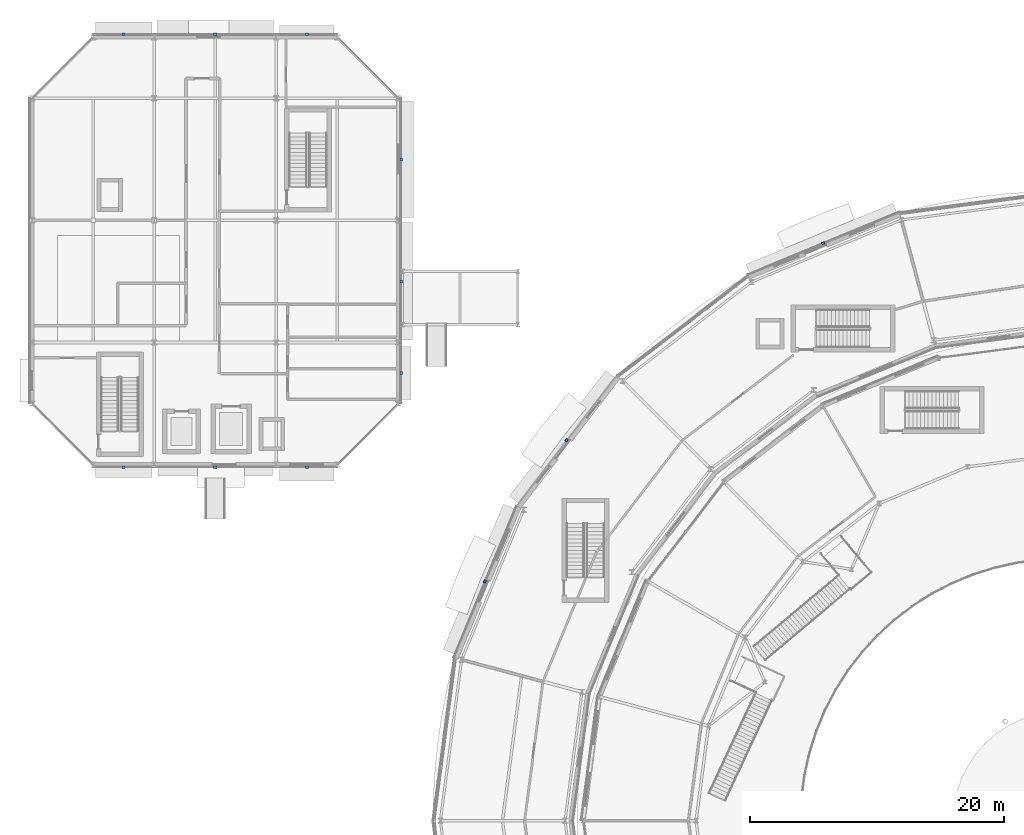
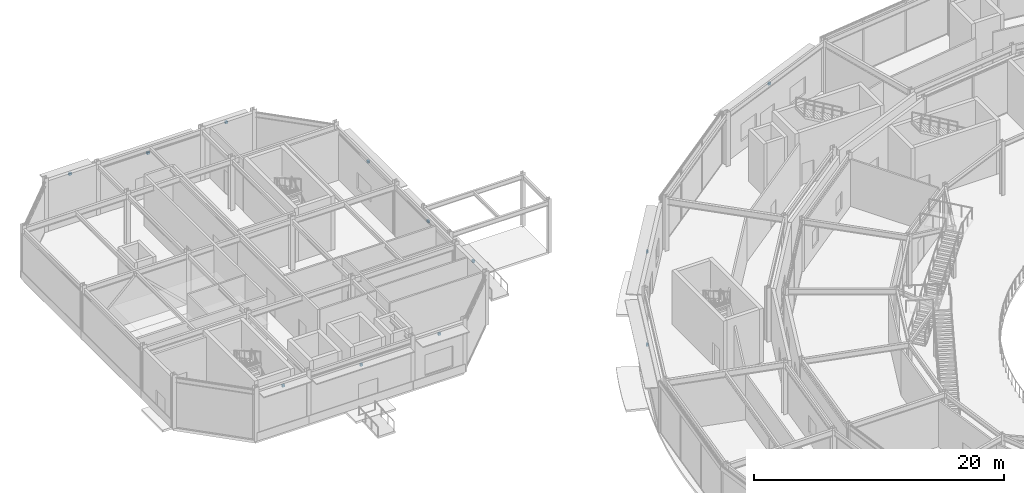
# One storey, part 137 of 168: 12 discrete accessories.
"""IFC4 building model written with IfcOpenShell, lengths in metres."""

from ifc_helpers import new_model, si_unit, direction, frame, origin, origin_2d, place, context, subcontext, project, spatial, rectangle, extrude, material, layer, layer_set, type_object, element, save


model = new_model("IFC4")

# Units and contexts
model_context = context("Model", 3, precision=1e-05, world=origin(), true_north=direction((0.0, 1.0)))
body_context = subcontext(model_context, "Body", "Model", "MODEL_VIEW")
ifc_project = project(units=[si_unit("LENGTHUNIT", "METRE"), si_unit("AREAUNIT", "SQUARE_METRE"), si_unit("VOLUMEUNIT", "CUBIC_METRE"), si_unit("PLANEANGLEUNIT", "RADIAN"), si_unit("MASSUNIT", "GRAM", prefix="KILO")], contexts=[model_context])

# Site, building, storey
site_placement = place(None, origin())
site = spatial("IfcSite", under=ifc_project, at=site_placement, CompositionType="ELEMENT")
building_placement = place(site_placement, origin())
building = spatial("IfcBuilding", under=site, at=building_placement, Name="Almandine Court Research Institute", CompositionType="ELEMENT")
storey_placement = place(building_placement, origin())
storey = spatial("IfcBuildingStorey", under=building, at=storey_placement, Name="L00", CompositionType="ELEMENT", Elevation=0.0)

# Discrete accessories
ifc_material = material(Name="Galvanised Steel Facade Outrigger Bracket", Category="steel")
ifc_layer = layer(ifc_material, 0.219970703125)
ifc_layer_set = layer_set([ifc_layer], Name="Galvanised Steel Facade Outrigger Bracket")
discrete_accessory_type = type_object("IfcDiscreteAccessoryType", Name="Acc-CHJ-BRACKET", PredefinedType="BRACKET", material=ifc_layer_set)
for number, where, z_axis, x_axis, name in (
    (1, (13.199951171875, 117.822021484375, 4.5), (0.0, 0.0, 1.0), (1.0, 0.0, 0.0), "L00 Chhajja Outrigger Bracket 12"),
    (2, (20.39990234375, 117.822021484375, 4.01416015625), (0.0, 0.0, 1.0), (1.0, 0.0, 0.0), "L00 Chhajja Outrigger Bracket 13"),
    (3, (27.60009765625, 117.822021484375, 4.5), (0.0, 0.0, 1.0), (1.0, 0.0, 0.0), "L00 Chhajja Outrigger Bracket 14"),
    (4, (35.02197265625, 91.199951171875, 4.5), (0.0, 0.0, 1.0), (0.0, -1.0, 0.0), "L00 Chhajja Outrigger Bracket 15"),
    (5, (35.02197265625, 98.39990234375, 4.01416015625), (0.0, 0.0, 1.0), (0.0, -1.0, 0.0), "L00 Chhajja Outrigger Bracket 16"),
    (6, (35.02197265625, 108.0, 4.01416015625), (0.0, 0.0, 1.0), (0.0, -1.0, 0.0), "L00 Chhajja Outrigger Bracket 17"),
    (7, (27.60009765625, 83.778076171875, 4.5), (0.0, 0.0, 1.0), (-1.0, 0.0, 0.0), "L00 Chhajja Outrigger Bracket 18"),
    (8, (20.39990234375, 83.778076171875, 4.01416015625), (0.0, 0.0, 1.0), (-1.0, 0.0, 0.0), "L00 Chhajja Outrigger Bracket 19"),
    (9, (13.199951171875, 83.778076171875, 4.5), (0.0, 0.0, 1.0), (-1.0, 0.0, 0.0), "L00 Chhajja Outrigger Bracket 20"),
    (10, (68.19091796875, 101.406982421875, 4.0029296875), (0.0, 0.0, 1.0), (0.923879532511, 0.382683432365, 0.0), "L00 Chhajja Outrigger Bracket 180"),
    (11, (48.009033203125, 85.919921875, 4.0859375), (0.0, 0.0, 1.0), (0.608761429009, 0.793353340291, 0.0), "L00 Chhajja Outrigger Bracket 181"),
    (12, (41.593017578125, 74.80908203125, 4.0029296875), (0.0, 0.0, 1.0), (0.382683432365, 0.923879532511, 0.0), "L00 Chhajja Outrigger Bracket 182"),
):
    element("IfcDiscreteAccessory", number, at=place(storey_placement, frame(where, z_axis=z_axis, x_axis=x_axis)), inside=storey, type_object=discrete_accessory_type, Name=name, PredefinedType="BRACKET", context=body_context, shape_type="SweptSolid", body=[
        extrude(rectangle(XDim=0.239990234375, YDim=0.179931640625, at=origin_2d()), origin(), (0.0, 0.0, 1.0), 0.219970703125),
    ])

save(model, "model.ifc")
